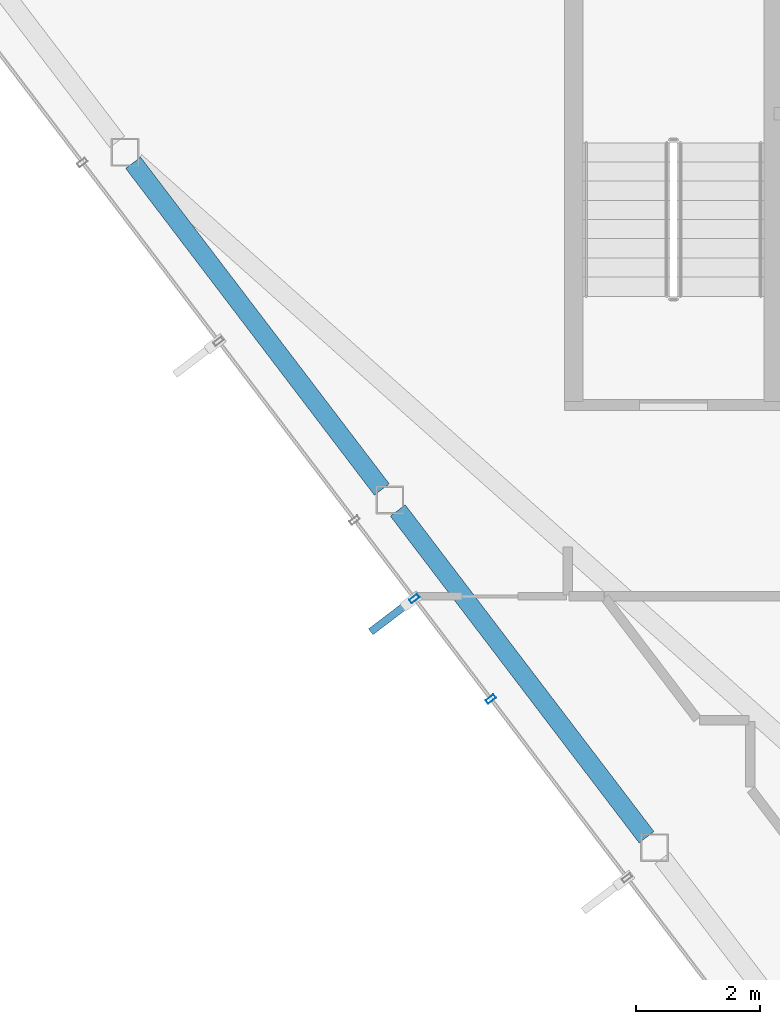
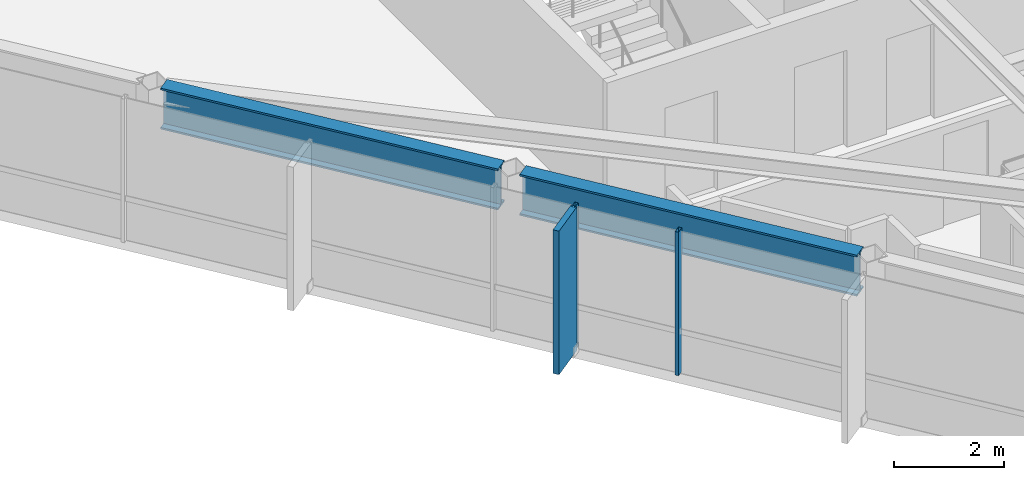
# One storey, part 3 of 23: 3 members, 2 beams, 1 element without a shape of its own.
"""IFC4 building model written with IfcOpenShell, lengths in metres."""

from ifc_helpers import new_model, si_unit, direction, frame, origin, origin_2d, place, context, subcontext, project, spatial, rectangle, hollow_rectangle, i_section, extrude, material, layer, layer_set, material_profile, profile_set, type_object, element, aggregate, save


model = new_model("IFC4")

# Units and contexts
model_context = context("Model", 3, precision=1e-05, world=origin(), true_north=direction((0.0, 1.0)))
body_context = subcontext(model_context, "Body", "Model", "MODEL_VIEW")
ifc_project = project(units=[si_unit("LENGTHUNIT", "METRE"), si_unit("AREAUNIT", "SQUARE_METRE"), si_unit("VOLUMEUNIT", "CUBIC_METRE"), si_unit("PLANEANGLEUNIT", "RADIAN"), si_unit("MASSUNIT", "GRAM", prefix="KILO")], contexts=[model_context])

# Site, building, storey
site_placement = place(None, origin())
site = spatial("IfcSite", under=ifc_project, at=site_placement, CompositionType="ELEMENT")
building_placement = place(site_placement, origin())
building = spatial("IfcBuilding", under=site, at=building_placement, Name="Zarrinselat Tower", CompositionType="ELEMENT")
storey_placement = place(building_placement, frame((0.0, 0.0, 278.800048828125)))
storey = spatial("IfcBuildingStorey", under=building, at=storey_placement, Name="L71", CompositionType="ELEMENT", Elevation=278.800048828125)

# Beams
ifc_material_1 = material(Name="Steel S460M", Category="steel")
ifc_material_profile_1 = material_profile(ifc_material_1, i_section(OverallWidth=0.302001953125, OverallDepth=0.909912109375, WebThickness=0.02099609375, FlangeThickness=0.0400390625, at=origin_2d()), Name="HEM 900")
ifc_profile_set_1 = profile_set([ifc_material_profile_1], Name="Steel S460M")
beam_type = type_object("IfcBeamType", Name="BM-HEM900", PredefinedType="BEAM", material=ifc_profile_set_1)
for number, where, z_axis, x_axis, name in (
    (1, (21.526611328125, 37.156982421875, 2.724853515625), (0.605770506968, -0.795639423915, 0.0), (0.795639423915, 0.605770506968, 0.0), "L71 Perimeter Spandrel Girder SP07"),
    (2, (25.8046875, 31.537841796875, 2.724853515625), (0.605770506968, -0.795639423915, 0.0), (0.795639423915, 0.605770506968, 0.0), "L71 Perimeter Spandrel Girder SP08"),
):
    element("IfcBeam", number, at=place(storey_placement, frame(where, z_axis=z_axis, x_axis=x_axis)), inside=storey, type_object=beam_type, Name=name, PredefinedType="BEAM", context=body_context, shape_type="SweptSolid", body=[
        extrude(i_section(OverallWidth=0.302001953125, OverallDepth=0.909912109375, WebThickness=0.02099609375, FlangeThickness=0.0400390625, at=origin_2d()), origin(), (0.0, 0.0, 1.0), 6.63623046875),
    ])

# Curtain wall, members
ifc_material_2 = material(Name="Extruded Aluminium Alloy EN AW-6063 T6", Category="aluminium")
ifc_layer = layer(ifc_material_2, 0.169921875)
ifc_layer_set = layer_set([ifc_layer], Name="Extruded Aluminium Alloy EN AW-6063 T6")
curtain_wall_type = type_object("IfcCurtainWallType", Name="CWS-RES", PredefinedType="NOTDEFINED", material=ifc_layer_set)
curtain_wall_placement = place(storey_placement, origin())
curtain_wall = element("IfcCurtainWall", 3, at=curtain_wall_placement, inside=storey, type_object=curtain_wall_type, Name="L71 Unitised Curtain Wall CW-L71-E03", PredefinedType="NOTDEFINED")
ifc_material_3 = material(Name="Extruded Aluminium Alloy EN AW-6063 T6", Category="aluminium")
ifc_material_profile_2 = material_profile(ifc_material_3, hollow_rectangle(XDim=0.070068359375, YDim=0.159912109375, WallThickness=0.00390625, at=origin_2d()), Name="RHS 160x70x4")
ifc_profile_set_2 = profile_set([ifc_material_profile_2], Name="Extruded Aluminium Alloy EN AW-6063 T6")
member_type_1 = type_object("IfcMemberType", Name="MEM-CW-MUL2", PredefinedType="MULLION", material=ifc_profile_set_2)
member_1_placement = place(storey_placement, frame((26.072021484375, 30.11376953125, 0.0), z_axis=(0.0, 0.0, 1.0), x_axis=(0.60576733126, -0.795641841772, 0.0)))
member_1 = element("IfcMember", 4, at=member_1_placement, type_object=member_type_1, Name="CW-L71-E03 Mullion 5", PredefinedType="MULLION", context=body_context, shape_type="SweptSolid", body=[
    extrude(hollow_rectangle(XDim=0.070068359375, YDim=0.159912109375, WallThickness=0.00390625, at=origin_2d()), origin(), (0.0, 0.0, 1.0), 3.179931640625),
])
member_2_placement = place(storey_placement, frame((27.3076171875, 28.490966796875, 0.0), z_axis=(0.0, 0.0, 1.0), x_axis=(0.60576733126, -0.795641841772, 0.0)))
member_2 = element("IfcMember", 5, at=member_2_placement, type_object=member_type_1, Name="CW-L71-E03 Mullion 6", PredefinedType="MULLION", context=body_context, shape_type="SweptSolid", body=[
    extrude(hollow_rectangle(XDim=0.070068359375, YDim=0.159912109375, WallThickness=0.00390625, at=origin_2d()), origin(), (0.0, 0.0, 1.0), 3.179931640625),
])
ifc_material_4 = material(Name="Honed Cream Travertine Stone", Category="masonry")
ifc_material_profile_3 = material_profile(ifc_material_4, rectangle(XDim=0.1201171875, YDim=0.85009765625, at=origin_2d()), Name="FIN 850x120")
ifc_profile_set_3 = profile_set([ifc_material_profile_3], Name="Honed Cream Travertine Stone")
member_type_2 = type_object("IfcMemberType", Name="MEM-STONE-FIN", PredefinedType="USERDEFINED", material=ifc_profile_set_3)
member_3_placement = place(storey_placement, frame((25.7060546875, 29.8349609375, 0.0), z_axis=(0.0, 0.0, 1.0), x_axis=(-0.60576733126, 0.795641841772, 0.0)))
member_3 = element("IfcMember", 6, at=member_3_placement, type_object=member_type_2, Name="L71 Stone Shading Fin CW-L71-E03-05", ObjectType="FIN", PredefinedType="USERDEFINED", context=body_context, shape_type="SweptSolid", body=[
    extrude(rectangle(XDim=0.1201171875, YDim=0.85009765625, at=origin_2d()), origin(), (0.0, 0.0, 1.0), 3.179931640625),
])
aggregate(curtain_wall, [member_1, member_3, member_2])

save(model, "model.ifc")
